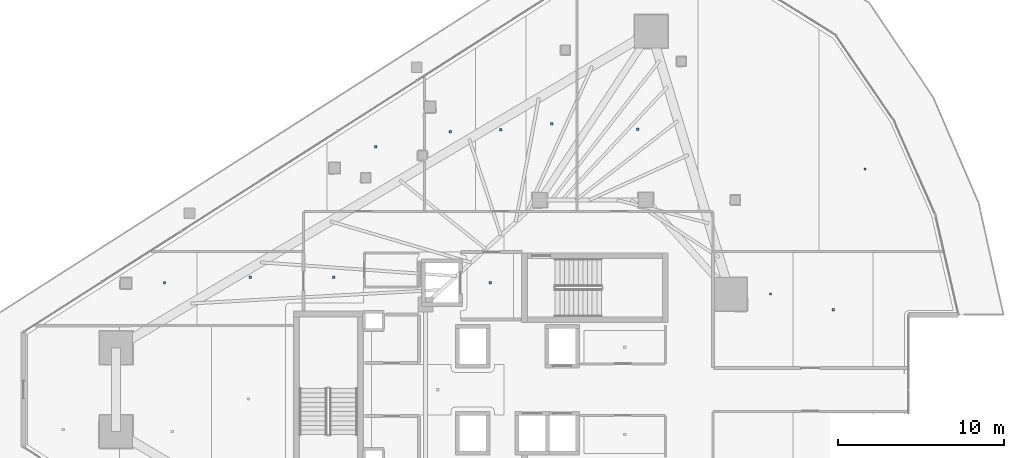
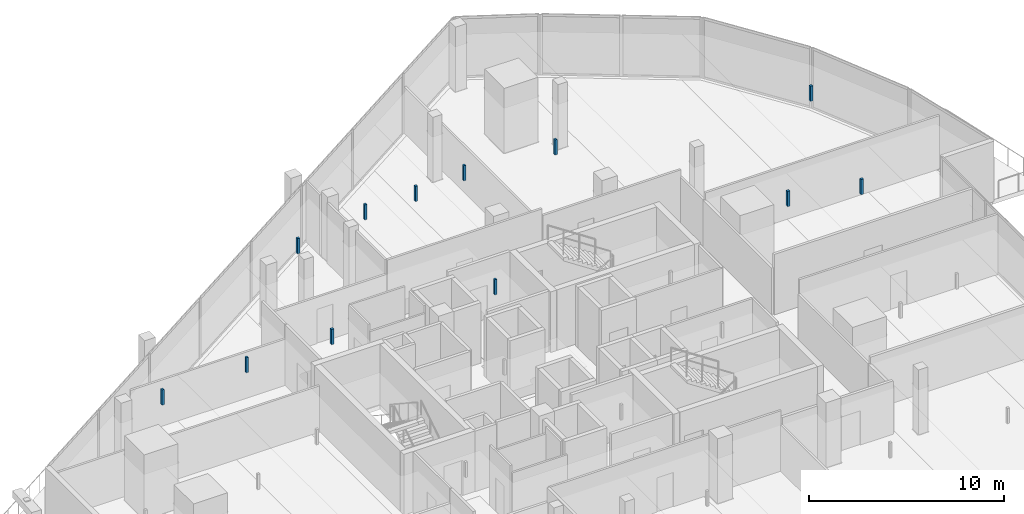
# One storey, part 30 of 37: 12 discrete accessories.
"""IFC4 building model written with IfcOpenShell, lengths in metres."""

from ifc_helpers import new_model, si_unit, direction, frame, origin, origin_2d, place, context, subcontext, project, spatial, rectangle, extrude, material, type_object, element, save


model = new_model("IFC4")

# Units and contexts
model_context = context("Model", 3, precision=1e-05, world=origin(), true_north=direction((0.0, 1.0)))
body_context = subcontext(model_context, "Body", "Model", "MODEL_VIEW")
ifc_project = project(units=[si_unit("LENGTHUNIT", "METRE"), si_unit("AREAUNIT", "SQUARE_METRE"), si_unit("VOLUMEUNIT", "CUBIC_METRE"), si_unit("PLANEANGLEUNIT", "RADIAN"), si_unit("MASSUNIT", "GRAM", prefix="KILO")], contexts=[model_context])

# Site, building, storey
site_placement = place(None, origin())
site = spatial("IfcSite", under=ifc_project, at=site_placement, CompositionType="ELEMENT")
building_placement = place(site_placement, origin())
building = spatial("IfcBuilding", under=site, at=building_placement, Name="Qorvath Tower", CompositionType="ELEMENT")
storey_placement = place(building_placement, frame((0.0, 0.0, 196.949951171875)))
storey = spatial("IfcBuildingStorey", under=building, at=storey_placement, Name="L45", CompositionType="ELEMENT", Elevation=196.949951171875)

# Discrete accessories
ifc_material = material(Name="Galvanised steel bracket", Category="steel")
discrete_accessory_type = type_object("IfcDiscreteAccessoryType", Name="DA-BRACKET", PredefinedType="BRACKET", material=ifc_material)
for number, where, z_axis, x_axis, name in (
    (1, (-26.590087890625, 6.449951171875, 2.85986328125), (0.0, 0.0, 1.0), (1.0, 0.0, 0.0), "Acoustic Ceiling Suspension Hanger T1-L45-001"),
    (2, (-36.040283203125, 6.782470703125, 2.85986328125), (0.0, 0.0, 1.0), (1.0, 0.0, 0.0), "Acoustic Ceiling Suspension Hanger T1-L45-010"),
    (3, (-33.496826171875, 14.670166015625, 2.85986328125), (0.0, 0.0, 1.0), (1.0, 0.0, 0.0), "Acoustic Ceiling Suspension Hanger T1-L45-013"),
    (4, (-29.00634765625, 15.56689453125, 2.85986328125), (0.0, 0.0, 1.0), (1.0, 0.0, 0.0), "Acoustic Ceiling Suspension Hanger T1-L45-014"),
    (5, (-25.9453125, 15.685546875, 2.85986328125), (0.0, 0.0, 1.0), (1.0, 0.0, 0.0), "Acoustic Ceiling Suspension Hanger T1-L45-015"),
    (6, (-22.882568359375, 16.05126953125, 2.85986328125), (0.0, 0.0, 1.0), (1.0, 0.0, 0.0), "Acoustic Ceiling Suspension Hanger T1-L45-016"),
    (7, (-17.68701171875, 15.712646484375, 2.85986328125), (0.0, 0.0, 1.0), (1.0, 0.0, 0.0), "Acoustic Ceiling Suspension Hanger T1-L45-017"),
    (8, (-3.968505859375, 13.32421875, 2.85986328125), (0.0, 0.0, 1.0), (1.0, 0.0, 0.0), "Acoustic Ceiling Suspension Hanger T1-L45-019"),
    (9, (-9.674560546875, 5.779052734375, 2.85986328125), (0.0, 0.0, 1.0), (1.0, 0.0, 0.0), "Acoustic Ceiling Suspension Hanger T1-L45-031"),
    (10, (-5.886962890625, 4.819091796875, 2.85986328125), (0.0, 0.0, 1.0), (1.0, 0.0, 0.0), "Acoustic Ceiling Suspension Hanger T1-L45-032"),
    (11, (-46.25341796875, 6.44580078125, 2.85986328125), (0.0, 0.0, 1.0), (1.0, 0.0, 0.0), "Acoustic Ceiling Suspension Hanger T1-L45-037"),
    (12, (-41.07958984375, 6.7861328125, 2.85986328125), (0.0, 0.0, 1.0), (1.0, 0.0, 0.0), "Acoustic Ceiling Suspension Hanger T1-L45-038"),
):
    element("IfcDiscreteAccessory", number, at=place(storey_placement, frame(where, z_axis=z_axis, x_axis=x_axis)), inside=storey, type_object=discrete_accessory_type, Name=name, PredefinedType="NOTDEFINED", context=body_context, shape_type="SweptSolid", body=[
        extrude(rectangle(XDim=0.139892578125, YDim=0.139892578125, at=origin_2d()), origin(), (0.0, 0.0, 1.0), 0.949951171875),
    ])

save(model, "model.ifc")
